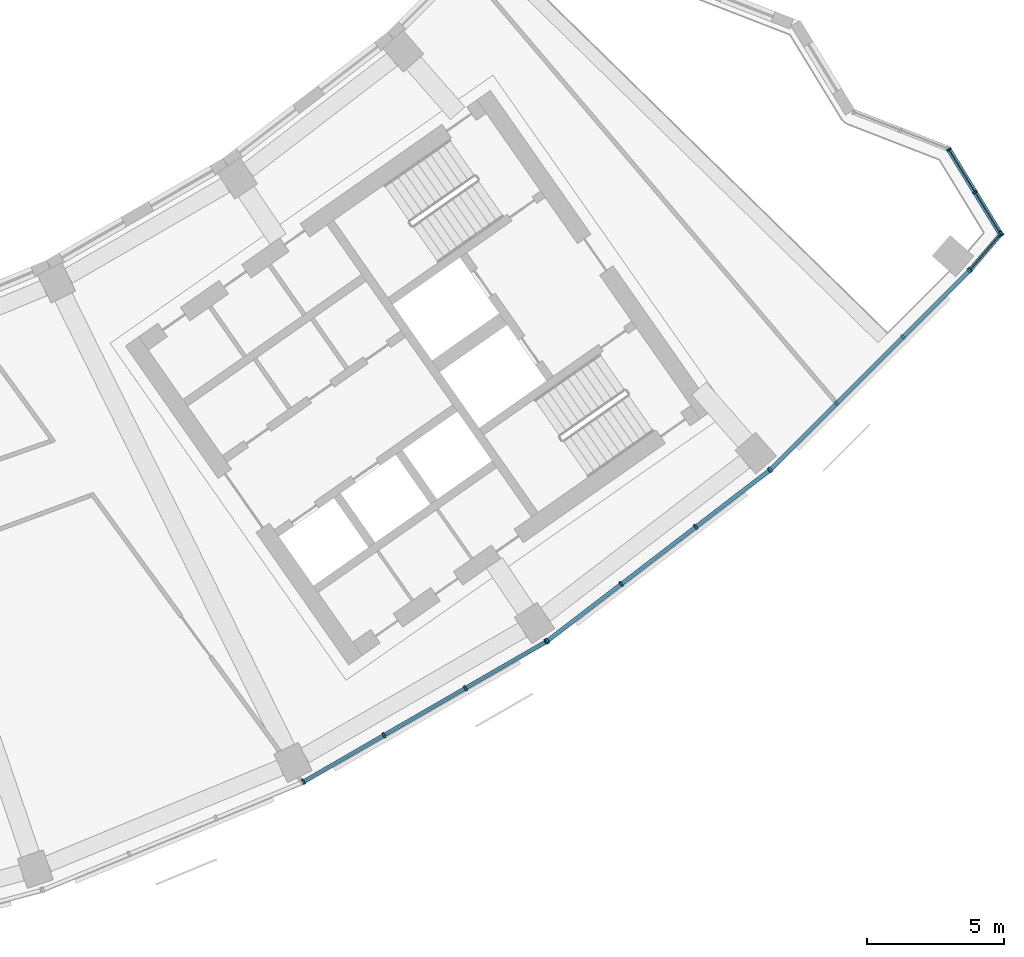
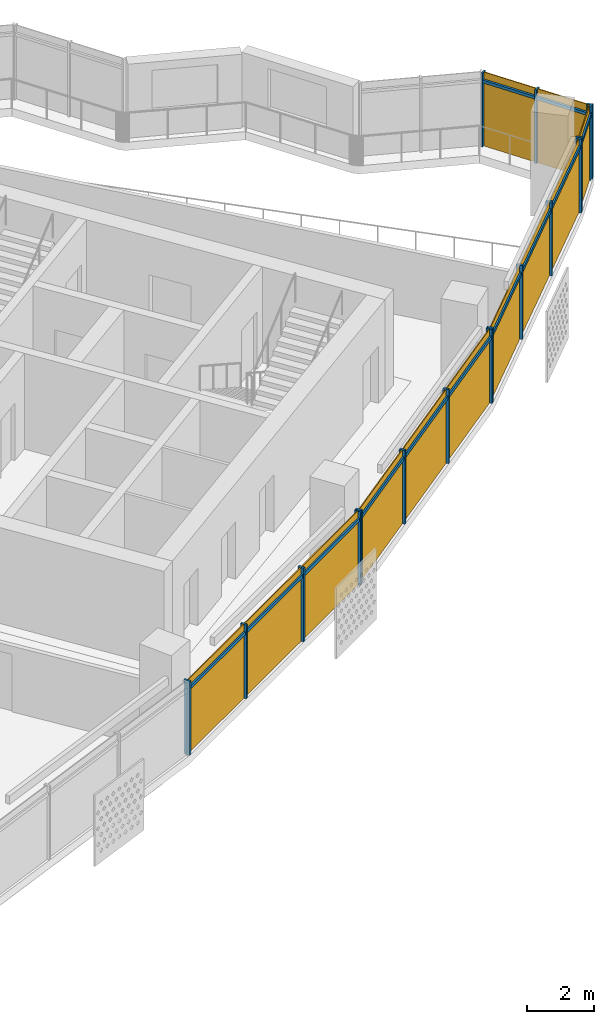
# One storey, part 21 of 29: 29 members, 5 curtain walls.
"""IFC4 building model written with IfcOpenShell, lengths in metres."""

from ifc_helpers import new_model, si_unit, direction, frame, origin, origin_2d, place, context, subcontext, project, spatial, rectangle, extrude, material, material_profile, profile_set, type_object, element, aggregate, save


model = new_model("IFC4")

# Units and contexts
model_context = context("Model", 3, precision=1e-05, world=origin(), true_north=direction((0.0, 1.0)))
body_context = subcontext(model_context, "Body", "Model", "MODEL_VIEW")
ifc_project = project(units=[si_unit("LENGTHUNIT", "METRE"), si_unit("AREAUNIT", "SQUARE_METRE"), si_unit("VOLUMEUNIT", "CUBIC_METRE"), si_unit("PLANEANGLEUNIT", "RADIAN"), si_unit("MASSUNIT", "GRAM", prefix="KILO")], contexts=[model_context])

# Member
ifc_material = material(Name="Aluminium 6063-T6 anodised", Category="aluminium")
ifc_material_profile_1 = material_profile(ifc_material, rectangle(XDim=0.179931640625, YDim=0.06005859375, at=origin_2d()))
ifc_profile_set_1 = profile_set([ifc_material_profile_1], Name="Aluminium 6063-T6 anodised")
member_type_1 = type_object("IfcMemberType", Name="Mullion 60 x 180 aluminium, garden", PredefinedType="MULLION", material=ifc_profile_set_1)
site_placement = place(None, origin())
building_placement = place(site_placement, origin())
storey_placement = place(building_placement, frame((0.0, 0.0, 207.5)))
member_1_placement = place(storey_placement, frame((60.2158203125, -50.50146484375, 0.0), z_axis=(0.0, 0.0, 1.0), x_axis=(-0.853120842268, -0.521713358549, 0.0)))
member_1 = element("IfcMember", 1, at=member_1_placement, type_object=member_type_1, Name="e-cw4-L49-capE0/M00", PredefinedType="MULLION", context=body_context, shape_type="SweptSolid", body=[
    extrude(rectangle(XDim=0.179931640625, YDim=0.06005859375, at=origin_2d()), origin(), (0.0, 0.0, 1.0), 2.699951171875),
])

member_2_placement = place(storey_placement, frame((59.26025390625, -48.939208984375, 0.0), z_axis=(0.0, 0.0, 1.0), x_axis=(-0.853120842268, -0.521713358549, 0.0)))
member_2 = element("IfcMember", 2, at=member_2_placement, type_object=member_type_1, Name="e-cw4-L49-capE0/M01", PredefinedType="MULLION", context=body_context, shape_type="SweptSolid", body=[
    extrude(rectangle(XDim=0.179931640625, YDim=0.06005859375, at=origin_2d()), origin(), (0.0, 0.0, 1.0), 2.699951171875),
])

member_3_placement = place(storey_placement, frame((58.304931640625, -47.376708984375, 0.0), z_axis=(0.0, 0.0, 1.0), x_axis=(-0.853120842268, -0.521713358549, 0.0)))
member_3 = element("IfcMember", 3, at=member_3_placement, type_object=member_type_1, Name="e-cw4-L49-capE0/M02", PredefinedType="MULLION", context=body_context, shape_type="SweptSolid", body=[
    extrude(rectangle(XDim=0.179931640625, YDim=0.06005859375, at=origin_2d()), origin(), (0.0, 0.0, 1.0), 2.699951171875),
])

ifc_material_profile_2 = material_profile(ifc_material, rectangle(XDim=0.199951171875, YDim=0.070068359375, at=origin_2d()))
ifc_profile_set_2 = profile_set([ifc_material_profile_2], Name="Aluminium 6063-T6 anodised")
member_type_2 = type_object("IfcMemberType", Name="Mullion 70 x 200 aluminium", PredefinedType="MULLION", material=ifc_profile_set_2)
member_4_placement = place(storey_placement, frame((34.766357421875, -70.43505859375, 0.0), z_axis=(0.0, 0.0, 1.0), x_axis=(-0.5, 0.866025403784, 0.0)))
member_4 = element("IfcMember", 4, at=member_4_placement, type_object=member_type_2, Name="e-cw1-L49-out12/M00", PredefinedType="MULLION", context=body_context, shape_type="SweptSolid", body=[
    extrude(rectangle(XDim=0.199951171875, YDim=0.070068359375, at=origin_2d()), origin(), (0.0, 0.0, 1.0), 2.699951171875),
])

member_5_placement = place(storey_placement, frame((37.705810546875, -68.73779296875, 0.0), z_axis=(0.0, 0.0, 1.0), x_axis=(-0.5, 0.866025403784, 0.0)))
member_5 = element("IfcMember", 5, at=member_5_placement, type_object=member_type_2, Name="e-cw1-L49-out12/M01", PredefinedType="MULLION", context=body_context, shape_type="SweptSolid", body=[
    extrude(rectangle(XDim=0.199951171875, YDim=0.070068359375, at=origin_2d()), origin(), (0.0, 0.0, 1.0), 2.699951171875),
])

member_6_placement = place(storey_placement, frame((40.67578125, -67.023193359375, 0.0), z_axis=(0.0, 0.0, 1.0), x_axis=(-0.5, 0.866025403784, 0.0)))
member_6 = element("IfcMember", 6, at=member_6_placement, type_object=member_type_2, Name="e-cw1-L49-out12/M02", PredefinedType="MULLION", context=body_context, shape_type="SweptSolid", body=[
    extrude(rectangle(XDim=0.199951171875, YDim=0.070068359375, at=origin_2d()), origin(), (0.0, 0.0, 1.0), 2.699951171875),
])

member_7_placement = place(storey_placement, frame((43.615234375, -65.325927734375, 0.0), z_axis=(0.0, 0.0, 1.0), x_axis=(-0.5, 0.866025403784, 0.0)))
member_7 = element("IfcMember", 7, at=member_7_placement, type_object=member_type_2, Name="e-cw1-L49-out12/M03", PredefinedType="MULLION", context=body_context, shape_type="SweptSolid", body=[
    extrude(rectangle(XDim=0.199951171875, YDim=0.070068359375, at=origin_2d()), origin(), (0.0, 0.0, 1.0), 2.699951171875),
])

member_8_placement = place(storey_placement, frame((43.66259765625, -65.29443359375, 0.0), z_axis=(0.0, 0.0, 1.0), x_axis=(-0.608761429009, 0.793353340291, 0.0)))
member_8 = element("IfcMember", 8, at=member_8_placement, type_object=member_type_2, Name="e-cw1-L49-out13/M00", PredefinedType="MULLION", context=body_context, shape_type="SweptSolid", body=[
    extrude(rectangle(XDim=0.199951171875, YDim=0.070068359375, at=origin_2d()), origin(), (0.0, 0.0, 1.0), 2.699951171875),
])

member_9_placement = place(storey_placement, frame((46.35546875, -63.22802734375, 0.0), z_axis=(0.0, 0.0, 1.0), x_axis=(-0.608761429009, 0.793353340291, 0.0)))
member_9 = element("IfcMember", 9, at=member_9_placement, type_object=member_type_2, Name="e-cw1-L49-out13/M01", PredefinedType="MULLION", context=body_context, shape_type="SweptSolid", body=[
    extrude(rectangle(XDim=0.199951171875, YDim=0.070068359375, at=origin_2d()), origin(), (0.0, 0.0, 1.0), 2.699951171875),
])

member_10_placement = place(storey_placement, frame((49.075927734375, -61.140380859375, 0.0), z_axis=(0.0, 0.0, 1.0), x_axis=(-0.608761429009, 0.793353340291, 0.0)))
member_10 = element("IfcMember", 10, at=member_10_placement, type_object=member_type_2, Name="e-cw1-L49-out13/M02", PredefinedType="MULLION", context=body_context, shape_type="SweptSolid", body=[
    extrude(rectangle(XDim=0.199951171875, YDim=0.070068359375, at=origin_2d()), origin(), (0.0, 0.0, 1.0), 2.699951171875),
])

member_11_placement = place(storey_placement, frame((51.768798828125, -59.07421875, 0.0), z_axis=(0.0, 0.0, 1.0), x_axis=(-0.608761429009, 0.793353340291, 0.0)))
member_11 = element("IfcMember", 11, at=member_11_placement, type_object=member_type_2, Name="e-cw1-L49-out13/M03", PredefinedType="MULLION", context=body_context, shape_type="SweptSolid", body=[
    extrude(rectangle(XDim=0.199951171875, YDim=0.070068359375, at=origin_2d()), origin(), (0.0, 0.0, 1.0), 2.699951171875),
])

member_12_placement = place(storey_placement, frame((51.8115234375, -59.03662109375, 0.0), z_axis=(0.0, 0.0, 1.0), x_axis=(-0.707106781187, 0.707106781187, 0.0)))
member_12 = element("IfcMember", 12, at=member_12_placement, type_object=member_type_2, Name="e-cw1-L49-out14/M00", PredefinedType="MULLION", context=body_context, shape_type="SweptSolid", body=[
    extrude(rectangle(XDim=0.199951171875, YDim=0.070068359375, at=origin_2d()), origin(), (0.0, 0.0, 1.0), 2.699951171875),
])

member_13_placement = place(storey_placement, frame((54.211669921875, -56.63671875, 0.0), z_axis=(0.0, 0.0, 1.0), x_axis=(-0.707106781187, 0.707106781187, 0.0)))
member_13 = element("IfcMember", 13, at=member_13_placement, type_object=member_type_2, Name="e-cw1-L49-out14/M01", PredefinedType="MULLION", context=body_context, shape_type="SweptSolid", body=[
    extrude(rectangle(XDim=0.199951171875, YDim=0.070068359375, at=origin_2d()), origin(), (0.0, 0.0, 1.0), 2.699951171875),
])

member_14_placement = place(storey_placement, frame((56.63671875, -54.211669921875, 0.0), z_axis=(0.0, 0.0, 1.0), x_axis=(-0.707106781187, 0.707106781187, 0.0)))
member_14 = element("IfcMember", 14, at=member_14_placement, type_object=member_type_2, Name="e-cw1-L49-out14/M02", PredefinedType="MULLION", context=body_context, shape_type="SweptSolid", body=[
    extrude(rectangle(XDim=0.199951171875, YDim=0.070068359375, at=origin_2d()), origin(), (0.0, 0.0, 1.0), 2.699951171875),
])

member_15_placement = place(storey_placement, frame((59.03662109375, -51.8115234375, 0.0), z_axis=(0.0, 0.0, 1.0), x_axis=(-0.707106781187, 0.707106781187, 0.0)))
member_15 = element("IfcMember", 15, at=member_15_placement, type_object=member_type_2, Name="e-cw1-L49-out14/M03", PredefinedType="MULLION", context=body_context, shape_type="SweptSolid", body=[
    extrude(rectangle(XDim=0.199951171875, YDim=0.070068359375, at=origin_2d()), origin(), (0.0, 0.0, 1.0), 2.699951171875),
])

member_16_placement = place(storey_placement, frame((59.0791015625, -51.765869140625, 0.0), z_axis=(0.0, 0.0, 1.0), x_axis=(-0.759421145239, 0.650599357642, 0.0)))
member_16 = element("IfcMember", 16, at=member_16_placement, type_object=member_type_2, Name="e-cw1-L49-out15/M00", PredefinedType="MULLION", context=body_context, shape_type="SweptSolid", body=[
    extrude(rectangle(XDim=0.199951171875, YDim=0.070068359375, at=origin_2d()), origin(), (0.0, 0.0, 1.0), 2.699951171875),
])

member_17_placement = place(storey_placement, frame((60.218017578125, -50.436279296875, 0.0), z_axis=(0.0, 0.0, 1.0), x_axis=(-0.759421145239, 0.650599357642, 0.0)))
member_17 = element("IfcMember", 17, at=member_17_placement, type_object=member_type_2, Name="e-cw1-L49-out15/M01", PredefinedType="MULLION", context=body_context, shape_type="SweptSolid", body=[
    extrude(rectangle(XDim=0.199951171875, YDim=0.070068359375, at=origin_2d()), origin(), (0.0, 0.0, 1.0), 2.699951171875),
])

ifc_material_profile_3 = material_profile(ifc_material, rectangle(XDim=0.179931640625, YDim=0.10009765625, at=origin_2d()))
ifc_profile_set_3 = profile_set([ifc_material_profile_3], Name="Aluminium 6063-T6 anodised")
member_type_3 = type_object("IfcMemberType", Name="Transom 100 x 180 aluminium, garden", PredefinedType="USERDEFINED", material=ifc_profile_set_3)
member_18_placement = place(storey_placement, frame((60.2001953125, -50.475830078125, 2.39990234375), z_axis=(-0.521734338994, 0.853108011634, 0.0), x_axis=(-0.853108011634, -0.521734338994, 0.0)))
member_18 = element("IfcMember", 18, at=member_18_placement, type_object=member_type_3, Name="e-cw4-L49-capE0/T00", ObjectType="TRANSOM", PredefinedType="USERDEFINED", context=body_context, shape_type="SweptSolid", body=[
    extrude(rectangle(XDim=0.179931640625, YDim=0.10009765625, at=origin_2d()), origin(), (0.0, 0.0, 1.0), 1.771240234375),
])

member_19_placement = place(storey_placement, frame((59.24462890625, -48.91357421875, 2.39990234375), z_axis=(-0.521672991693, 0.853145526706, 0.0), x_axis=(-0.853145526706, -0.521672991693, 0.0)))
member_19 = element("IfcMember", 19, at=member_19_placement, type_object=member_type_3, Name="e-cw4-L49-capE0/T01", ObjectType="TRANSOM", PredefinedType="USERDEFINED", context=body_context, shape_type="SweptSolid", body=[
    extrude(rectangle(XDim=0.179931640625, YDim=0.10009765625, at=origin_2d()), origin(), (0.0, 0.0, 1.0), 1.771484375),
])

ifc_material_profile_4 = material_profile(ifc_material, rectangle(XDim=0.139892578125, YDim=0.1201171875, at=origin_2d()))
ifc_profile_set_4 = profile_set([ifc_material_profile_4], Name="Aluminium 6063-T6 anodised")
member_type_4 = type_object("IfcMemberType", Name="Transom 120 x 140 aluminium", PredefinedType="USERDEFINED", material=ifc_profile_set_4)
member_20_placement = place(storey_placement, frame((34.796630859375, -70.41748046875, 2.39990234375), z_axis=(0.866029041019, 0.499993700073, 0.0), x_axis=(-0.499993700073, 0.866029041019, 0.0)))
member_20 = element("IfcMember", 20, at=member_20_placement, type_object=member_type_4, Name="e-cw1-L49-out12/T00", ObjectType="TRANSOM", PredefinedType="USERDEFINED", context=body_context, shape_type="SweptSolid", body=[
    extrude(rectangle(XDim=0.139892578125, YDim=0.1201171875, at=origin_2d()), origin(), (0.0, 0.0, 1.0), 3.32421875),
])

member_21_placement = place(storey_placement, frame((37.736083984375, -68.72021484375, 2.39990234375), z_axis=(0.866034314054, 0.499984566643, 0.0), x_axis=(-0.499984566643, 0.866034314054, 0.0)))
member_21 = element("IfcMember", 21, at=member_21_placement, type_object=member_type_4, Name="e-cw1-L49-out12/T01", ObjectType="TRANSOM", PredefinedType="USERDEFINED", context=body_context, shape_type="SweptSolid", body=[
    extrude(rectangle(XDim=0.139892578125, YDim=0.1201171875, at=origin_2d()), origin(), (0.0, 0.0, 1.0), 3.359375),
])

member_22_placement = place(storey_placement, frame((40.7060546875, -67.005615234375, 2.39990234375), z_axis=(0.866029041019, 0.499993700073, 0.0), x_axis=(-0.499993700073, 0.866029041019, 0.0)))
member_22 = element("IfcMember", 22, at=member_22_placement, type_object=member_type_4, Name="e-cw1-L49-out12/T02", ObjectType="TRANSOM", PredefinedType="USERDEFINED", context=body_context, shape_type="SweptSolid", body=[
    extrude(rectangle(XDim=0.139892578125, YDim=0.1201171875, at=origin_2d()), origin(), (0.0, 0.0, 1.0), 3.32421875),
])

member_23_placement = place(storey_placement, frame((43.690185546875, -65.273193359375, 2.39990234375), z_axis=(0.793368713958, 0.608741393132, 0.0), x_axis=(-0.608741393132, 0.793368713958, 0.0)))
member_23 = element("IfcMember", 23, at=member_23_placement, type_object=member_type_4, Name="e-cw1-L49-out13/T00", ObjectType="TRANSOM", PredefinedType="USERDEFINED", context=body_context, shape_type="SweptSolid", body=[
    extrude(rectangle(XDim=0.139892578125, YDim=0.1201171875, at=origin_2d()), origin(), (0.0, 0.0, 1.0), 3.324462890625),
])

member_24_placement = place(storey_placement, frame((46.383056640625, -63.206787109375, 2.39990234375), z_axis=(0.793385234627, 0.608719861247, 0.0), x_axis=(-0.608719861247, 0.793385234627, 0.0)))
member_24 = element("IfcMember", 24, at=member_24_placement, type_object=member_type_4, Name="e-cw1-L49-out13/T01", ObjectType="TRANSOM", PredefinedType="USERDEFINED", context=body_context, shape_type="SweptSolid", body=[
    extrude(rectangle(XDim=0.139892578125, YDim=0.1201171875, at=origin_2d()), origin(), (0.0, 0.0, 1.0), 3.359375),
])

member_25_placement = place(storey_placement, frame((49.103759765625, -61.119140625, 2.39990234375), z_axis=(0.793368713958, 0.608741393132, 0.0), x_axis=(-0.608741393132, 0.793368713958, 0.0)))
member_25 = element("IfcMember", 25, at=member_25_placement, type_object=member_type_4, Name="e-cw1-L49-out13/T02", ObjectType="TRANSOM", PredefinedType="USERDEFINED", context=body_context, shape_type="SweptSolid", body=[
    extrude(rectangle(XDim=0.139892578125, YDim=0.1201171875, at=origin_2d()), origin(), (0.0, 0.0, 1.0), 3.324462890625),
])

member_26_placement = place(storey_placement, frame((51.83642578125, -59.011962890625, 2.39990234375), z_axis=(0.707106781187, 0.707106781187, 0.0), x_axis=(-0.707106781187, 0.707106781187, 0.0)))
member_26 = element("IfcMember", 26, at=member_26_placement, type_object=member_type_4, Name="e-cw1-L49-out14/T00", ObjectType="TRANSOM", PredefinedType="USERDEFINED", context=body_context, shape_type="SweptSolid", body=[
    extrude(rectangle(XDim=0.139892578125, YDim=0.1201171875, at=origin_2d()), origin(), (0.0, 0.0, 1.0), 3.32421875),
])

member_27_placement = place(storey_placement, frame((54.236572265625, -56.61181640625, 2.39990234375), z_axis=(0.707106781187, 0.707106781187, 0.0), x_axis=(-0.707106781187, 0.707106781187, 0.0)))
member_27 = element("IfcMember", 27, at=member_27_placement, type_object=member_type_4, Name="e-cw1-L49-out14/T01", ObjectType="TRANSOM", PredefinedType="USERDEFINED", context=body_context, shape_type="SweptSolid", body=[
    extrude(rectangle(XDim=0.139892578125, YDim=0.1201171875, at=origin_2d()), origin(), (0.0, 0.0, 1.0), 3.359130859375),
])

member_28_placement = place(storey_placement, frame((56.661376953125, -54.18701171875, 2.39990234375), z_axis=(0.707106781187, 0.707106781187, 0.0), x_axis=(-0.707106781187, 0.707106781187, 0.0)))
member_28 = element("IfcMember", 28, at=member_28_placement, type_object=member_type_4, Name="e-cw1-L49-out14/T02", ObjectType="TRANSOM", PredefinedType="USERDEFINED", context=body_context, shape_type="SweptSolid", body=[
    extrude(rectangle(XDim=0.139892578125, YDim=0.1201171875, at=origin_2d()), origin(), (0.0, 0.0, 1.0), 3.32421875),
])

member_29_placement = place(storey_placement, frame((59.101806640625, -51.7392578125, 2.39990234375), z_axis=(0.65061191856, 0.759410384066, 0.0), x_axis=(-0.759410384066, 0.65061191856, 0.0)))
member_29 = element("IfcMember", 29, at=member_29_placement, type_object=member_type_4, Name="e-cw1-L49-out15/T00", ObjectType="TRANSOM", PredefinedType="USERDEFINED", context=body_context, shape_type="SweptSolid", body=[
    extrude(rectangle(XDim=0.139892578125, YDim=0.1201171875, at=origin_2d()), origin(), (0.0, 0.0, 1.0), 1.6806640625),
])

# Site, building, storey
site = spatial("IfcSite", under=ifc_project, at=site_placement, CompositionType="ELEMENT")
building = spatial("IfcBuilding", under=site, at=building_placement, Name="Qamariyya Broadcast Tower", CompositionType="ELEMENT")
storey = spatial("IfcBuildingStorey", under=building, at=storey_placement, Name="L49", CompositionType="ELEMENT", Elevation=207.5)

# Curtain wall
curtain_wall_type_1 = type_object("IfcCurtainWallType", Name="Sky garden enclosure curtain wall", PredefinedType="NOTDEFINED", material=ifc_material)
curtain_wall_1_placement = place(storey_placement, origin())
curtain_wall_1 = element("IfcCurtainWall", 30, at=curtain_wall_1_placement, inside=storey, type_object=curtain_wall_type_1, Name="e-cw4-L49-capE0", PredefinedType="NOTDEFINED", context=body_context, shape_type="SweptSolid", body=[
    extrude(rectangle(XDim=1.771240234375, YDim=0.031982421875, at=origin_2d()), frame((59.738037109375, -49.720458984375, 0.0), x_axis=(-0.521720572426, 0.853116430687, 0.0)), (0.0, 0.0, 1.0), 2.35009765625),
    extrude(rectangle(XDim=1.771240234375, YDim=0.031982421875, at=origin_2d()), frame((59.738037109375, -49.720458984375, 2.449951171875), x_axis=(-0.521720572426, 0.853116430687, 0.0)), (0.0, 0.0, 1.0), 0.25),
    extrude(rectangle(XDim=1.771240234375, YDim=0.031982421875, at=origin_2d()), frame((58.78271484375, -48.157958984375, 0.0), x_axis=(-0.521720572426, 0.853116430687, 0.0)), (0.0, 0.0, 1.0), 2.35009765625),
    extrude(rectangle(XDim=1.771240234375, YDim=0.031982421875, at=origin_2d()), frame((58.78271484375, -48.157958984375, 2.449951171875), x_axis=(-0.521720572426, 0.853116430687, 0.0)), (0.0, 0.0, 1.0), 0.25),
])

aggregate(curtain_wall_1, [member_1, member_2, member_3, member_18, member_19])

curtain_wall_type_2 = type_object("IfcCurtainWallType", Name="Unitised curtain wall, anodised aluminium", PredefinedType="NOTDEFINED", material=ifc_material)
curtain_wall_2_placement = place(storey_placement, origin())
curtain_wall_2 = element("IfcCurtainWall", 31, at=curtain_wall_2_placement, inside=storey, type_object=curtain_wall_type_2, Name="e-cw1-L49-out12", PredefinedType="NOTDEFINED", context=body_context, shape_type="SweptSolid", body=[
    extrude(rectangle(XDim=3.32421875, YDim=0.031982421875, at=origin_2d()), frame((36.236083984375, -69.58642578125, 0.0), x_axis=(0.866027904674, 0.499995668308, 0.0)), (0.0, 0.0, 1.0), 2.340087890625),
    extrude(rectangle(XDim=3.32421875, YDim=0.031982421875, at=origin_2d()), frame((36.236083984375, -69.58642578125, 2.4599609375), x_axis=(0.866027904674, 0.499995668308, 0.0)), (0.0, 0.0, 1.0), 0.239990234375),
    extrude(rectangle(XDim=3.359130859375, YDim=0.031982421875, at=origin_2d()), frame((39.19091796875, -67.88037109375, 0.0), x_axis=(0.866027904674, 0.499995668308, 0.0)), (0.0, 0.0, 1.0), 2.340087890625),
    extrude(rectangle(XDim=3.359130859375, YDim=0.031982421875, at=origin_2d()), frame((39.19091796875, -67.88037109375, 2.4599609375), x_axis=(0.866027904674, 0.499995668308, 0.0)), (0.0, 0.0, 1.0), 0.239990234375),
    extrude(rectangle(XDim=3.32421875, YDim=0.031982421875, at=origin_2d()), frame((42.1455078125, -66.174560546875, 0.0), x_axis=(0.866027904674, 0.499995668308, 0.0)), (0.0, 0.0, 1.0), 2.340087890625),
    extrude(rectangle(XDim=3.32421875, YDim=0.031982421875, at=origin_2d()), frame((42.1455078125, -66.174560546875, 2.4599609375), x_axis=(0.866027904674, 0.499995668308, 0.0)), (0.0, 0.0, 1.0), 0.239990234375),
])

aggregate(curtain_wall_2, [member_4, member_5, member_6, member_7, member_20, member_21, member_22])

curtain_wall_3_placement = place(storey_placement, origin())
curtain_wall_3 = element("IfcCurtainWall", 32, at=curtain_wall_3_placement, inside=storey, type_object=curtain_wall_type_2, Name="e-cw1-L49-out13", PredefinedType="NOTDEFINED", context=body_context, shape_type="SweptSolid", body=[
    extrude(rectangle(XDim=3.32421875, YDim=0.031982421875, at=origin_2d()), frame((45.009033203125, -64.26123046875, 0.0), x_axis=(0.793359168734, 0.608753833159, 0.0)), (0.0, 0.0, 1.0), 2.340087890625),
    extrude(rectangle(XDim=3.32421875, YDim=0.031982421875, at=origin_2d()), frame((45.009033203125, -64.26123046875, 2.4599609375), x_axis=(0.793359168734, 0.608753833159, 0.0)), (0.0, 0.0, 1.0), 0.239990234375),
    extrude(rectangle(XDim=3.359130859375, YDim=0.031982421875, at=origin_2d()), frame((47.7158203125, -62.184326171875, 0.0), x_axis=(0.793359168734, 0.608753833159, 0.0)), (0.0, 0.0, 1.0), 2.340087890625),
    extrude(rectangle(XDim=3.359130859375, YDim=0.031982421875, at=origin_2d()), frame((47.7158203125, -62.184326171875, 2.4599609375), x_axis=(0.793359168734, 0.608753833159, 0.0)), (0.0, 0.0, 1.0), 0.239990234375),
    extrude(rectangle(XDim=3.32421875, YDim=0.031982421875, at=origin_2d()), frame((50.42236328125, -60.107421875, 0.0), x_axis=(0.793359168734, 0.608753833159, 0.0)), (0.0, 0.0, 1.0), 2.340087890625),
    extrude(rectangle(XDim=3.32421875, YDim=0.031982421875, at=origin_2d()), frame((50.42236328125, -60.107421875, 2.4599609375), x_axis=(0.793359168734, 0.608753833159, 0.0)), (0.0, 0.0, 1.0), 0.239990234375),
])

aggregate(curtain_wall_3, [member_8, member_9, member_10, member_11, member_23, member_24, member_25])

curtain_wall_4_placement = place(storey_placement, origin())
curtain_wall_4 = element("IfcCurtainWall", 33, at=curtain_wall_4_placement, inside=storey, type_object=curtain_wall_type_2, Name="e-cw1-L49-out14", PredefinedType="NOTDEFINED", context=body_context, shape_type="SweptSolid", body=[
    extrude(rectangle(XDim=3.32421875, YDim=0.031982421875, at=origin_2d()), frame((53.01171875, -57.836669921875, 0.0), x_axis=(0.707106781187, 0.707106781187, 0.0)), (0.0, 0.0, 1.0), 2.340087890625),
    extrude(rectangle(XDim=3.32421875, YDim=0.031982421875, at=origin_2d()), frame((53.01171875, -57.836669921875, 2.4599609375), x_axis=(0.707106781187, 0.707106781187, 0.0)), (0.0, 0.0, 1.0), 0.239990234375),
    extrude(rectangle(XDim=3.359375, YDim=0.031982421875, at=origin_2d()), frame((55.42431640625, -55.42431640625, 0.0), x_axis=(0.707106781187, 0.707106781187, 0.0)), (0.0, 0.0, 1.0), 2.340087890625),
    extrude(rectangle(XDim=3.359375, YDim=0.031982421875, at=origin_2d()), frame((55.42431640625, -55.42431640625, 2.4599609375), x_axis=(0.707106781187, 0.707106781187, 0.0)), (0.0, 0.0, 1.0), 0.239990234375),
    extrude(rectangle(XDim=3.32421875, YDim=0.031982421875, at=origin_2d()), frame((57.836669921875, -53.01171875, 0.0), x_axis=(0.707106781187, 0.707106781187, 0.0)), (0.0, 0.0, 1.0), 2.340087890625),
    extrude(rectangle(XDim=3.32421875, YDim=0.031982421875, at=origin_2d()), frame((57.836669921875, -53.01171875, 2.4599609375), x_axis=(0.707106781187, 0.707106781187, 0.0)), (0.0, 0.0, 1.0), 0.239990234375),
])

aggregate(curtain_wall_4, [member_12, member_13, member_14, member_15, member_26, member_27, member_28])

curtain_wall_5_placement = place(storey_placement, origin())
curtain_wall_5 = element("IfcCurtainWall", 34, at=curtain_wall_5_placement, inside=storey, type_object=curtain_wall_type_2, Name="e-cw1-L49-out15", PredefinedType="NOTDEFINED", context=body_context, shape_type="SweptSolid", body=[
    extrude(rectangle(XDim=1.6806640625, YDim=0.031982421875, at=origin_2d()), frame((59.6484375, -51.10107421875, 0.0), x_axis=(0.65063675446, 0.759389105628, 0.0)), (0.0, 0.0, 1.0), 2.340087890625),
    extrude(rectangle(XDim=1.6806640625, YDim=0.031982421875, at=origin_2d()), frame((59.6484375, -51.10107421875, 2.4599609375), x_axis=(0.65063675446, 0.759389105628, 0.0)), (0.0, 0.0, 1.0), 0.239990234375),
])

aggregate(curtain_wall_5, [member_16, member_17, member_29])

save(model, "model.ifc")
